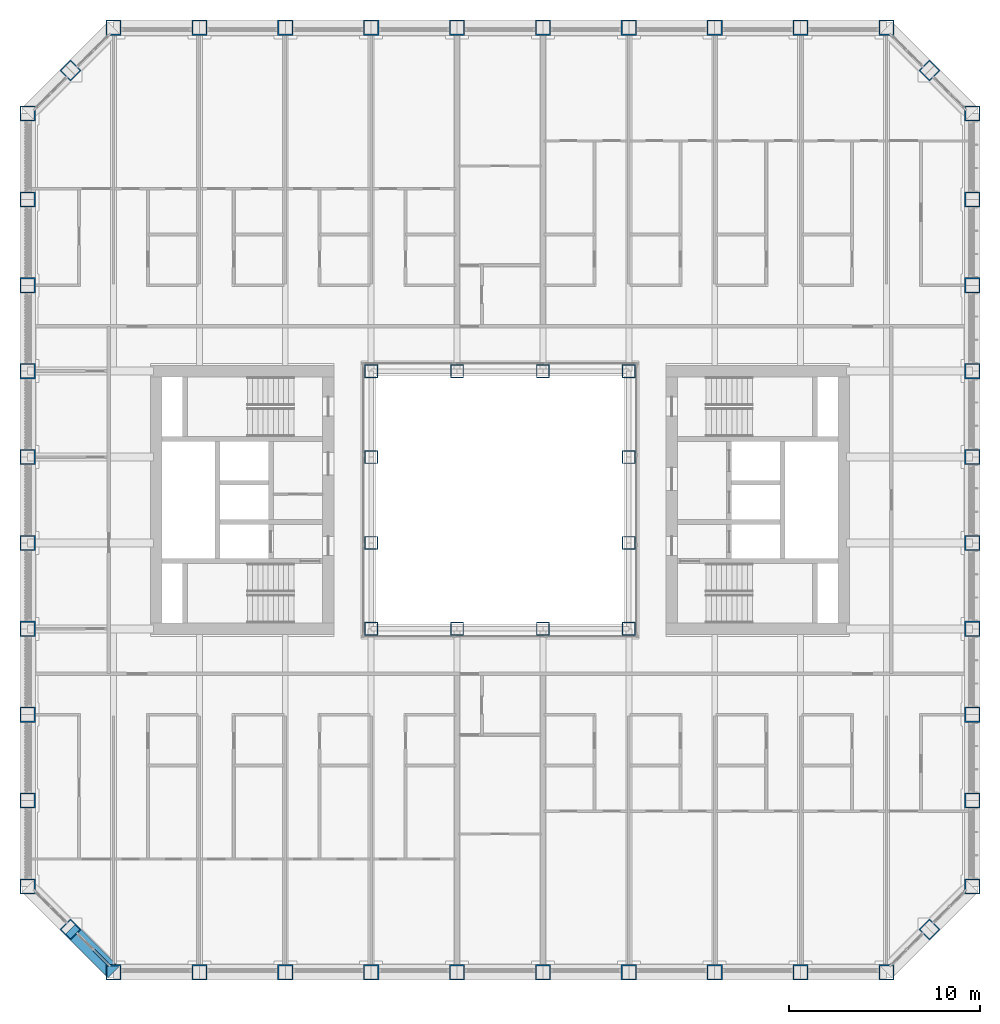
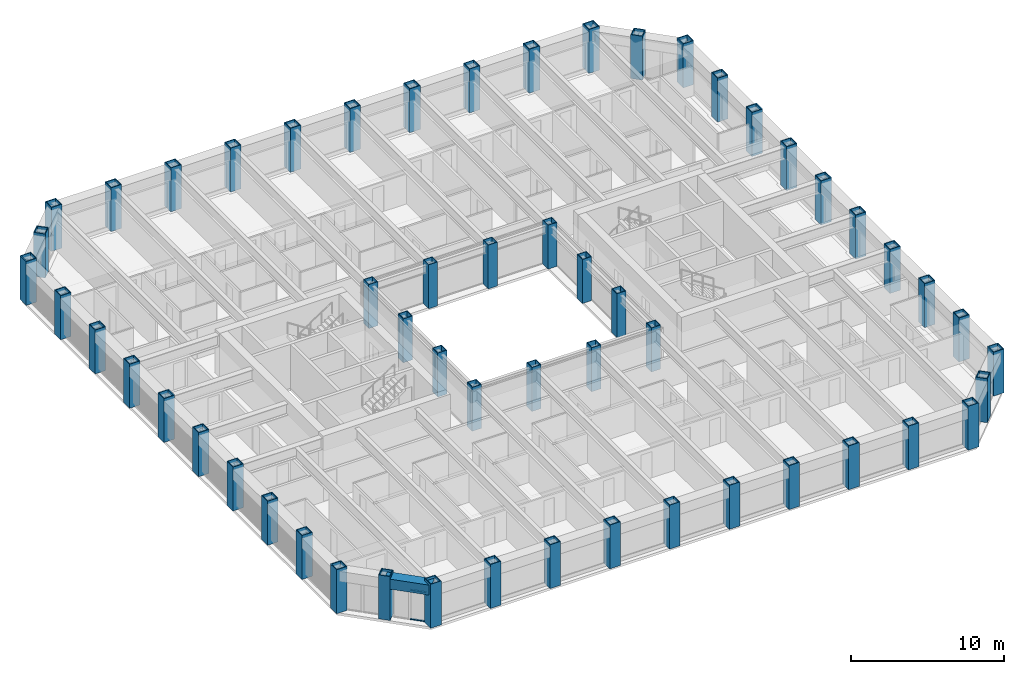
# One storey, part 1 of 21: 56 columns, 2 members, 1 beam, 1 element without a shape of its own.
"""IFC4 building model written with IfcOpenShell, lengths in metres."""

from ifc_helpers import new_model, si_unit, direction, frame, origin, origin_2d, place, context, subcontext, project, spatial, rectangle, hollow_rectangle, extrude, material, material_profile, profile_set, type_object, element, aggregate, save


model = new_model("IFC4")

# Units and contexts
model_context = context("Model", 3, precision=1e-05, world=origin(), true_north=direction((0.0, 1.0)))
body_context = subcontext(model_context, "Body", "Model", "MODEL_VIEW")
ifc_project = project(units=[si_unit("LENGTHUNIT", "METRE"), si_unit("AREAUNIT", "SQUARE_METRE"), si_unit("VOLUMEUNIT", "CUBIC_METRE"), si_unit("PLANEANGLEUNIT", "RADIAN"), si_unit("MASSUNIT", "GRAM", prefix="KILO")], contexts=[model_context])

# Site, building, storey
site_placement = place(None, origin())
site = spatial("IfcSite", under=ifc_project, at=site_placement, CompositionType="ELEMENT")
building_placement = place(site_placement, origin())
building = spatial("IfcBuilding", under=site, at=building_placement, Name="Msasa Ring Tower", CompositionType="ELEMENT")
storey_placement = place(building_placement, frame((0.0, 0.0, 100.0)))
storey = spatial("IfcBuildingStorey", under=building, at=storey_placement, Name="L26", CompositionType="ELEMENT", Elevation=100.0)

# Columns
ifc_material_1 = material(Name="Steel S355", Category="steel")
ifc_material_profile_1 = material_profile(ifc_material_1, hollow_rectangle(XDim=0.699951171875, YDim=0.699951171875, WallThickness=0.050048828125, at=origin_2d()), Name="BOX 700x700x50")
ifc_profile_set_1 = profile_set([ifc_material_profile_1], Name="Steel S355")
column_type_1 = type_object("IfcColumnType", Name="IC3 BOX 700x700x50", PredefinedType="COLUMN", material=ifc_profile_set_1)
for number, where, z_axis, x_axis, name in (
    (1, (-6.75, -6.75, 0.0), (0.0, 0.0, 1.0), (1.0, 0.0, 0.0), "Inner ring column IR-6.75-6.75 L26"),
    (2, (-6.75, -2.25, 0.0), (0.0, 0.0, 1.0), (1.0, 0.0, 0.0), "Inner ring column IR-6.75-2.25 L26"),
    (3, (-6.75, 2.25, 0.0), (0.0, 0.0, 1.0), (1.0, 0.0, 0.0), "Inner ring column IR-6.75+2.25 L26"),
    (4, (-6.75, 6.75, 0.0), (0.0, 0.0, 1.0), (1.0, 0.0, 0.0), "Inner ring column IR-6.75+6.75 L26"),
    (5, (-2.25, -6.75, 0.0), (0.0, 0.0, 1.0), (1.0, 0.0, 0.0), "Inner ring column IR-2.25-6.75 L26"),
    (6, (-2.25, 6.75, 0.0), (0.0, 0.0, 1.0), (1.0, 0.0, 0.0), "Inner ring column IR-2.25+6.75 L26"),
    (7, (2.25, -6.75, 0.0), (0.0, 0.0, 1.0), (1.0, 0.0, 0.0), "Inner ring column IR+2.25-6.75 L26"),
    (8, (2.25, 6.75, 0.0), (0.0, 0.0, 1.0), (1.0, 0.0, 0.0), "Inner ring column IR+2.25+6.75 L26"),
    (9, (6.75, -6.75, 0.0), (0.0, 0.0, 1.0), (1.0, 0.0, 0.0), "Inner ring column IR+6.75-6.75 L26"),
    (10, (6.75, -2.25, 0.0), (0.0, 0.0, 1.0), (1.0, 0.0, 0.0), "Inner ring column IR+6.75-2.25 L26"),
    (11, (6.75, 2.25, 0.0), (0.0, 0.0, 1.0), (1.0, 0.0, 0.0), "Inner ring column IR+6.75+2.25 L26"),
    (12, (6.75, 6.75, 0.0), (0.0, 0.0, 1.0), (1.0, 0.0, 0.0), "Inner ring column IR+6.75+6.75 L26"),
):
    element("IfcColumn", number, at=place(storey_placement, frame(where, z_axis=z_axis, x_axis=x_axis)), inside=storey, type_object=column_type_1, Name=name, PredefinedType="COLUMN", context=body_context, shape_type="SweptSolid", body=[
        extrude(hollow_rectangle(XDim=0.699951171875, YDim=0.699951171875, WallThickness=0.050048828125, at=origin_2d()), origin(), (0.0, 0.0, 1.0), 3.5),
    ])
ifc_material_2 = material(Name="Steel S355", Category="steel")
ifc_material_profile_2 = material_profile(ifc_material_2, hollow_rectangle(XDim=0.800048828125, YDim=0.800048828125, WallThickness=0.06005859375, at=origin_2d()), Name="BOX 800x800x60")
ifc_profile_set_2 = profile_set([ifc_material_profile_2], Name="Steel S355")
column_type_2 = type_object("IfcColumnType", Name="TC3 BOX 800x800x60", PredefinedType="COLUMN", material=ifc_profile_set_2)
for number, where, z_axis, x_axis, name in (
    (13, (-20.25, -24.75, 0.0), (0.0, 0.0, 1.0), (0.0, 1.0, 0.0), "Tube column S-20.25 L26"),
    (14, (-20.25, 24.75, 0.0), (0.0, 0.0, 1.0), (0.0, 1.0, 0.0), "Tube column N-20.25 L26"),
    (15, (24.75, -20.25, 0.0), (0.0, 0.0, 1.0), (1.0, 0.0, 0.0), "Tube column E-20.25 L26"),
    (16, (-24.75, -20.25, 0.0), (0.0, 0.0, 1.0), (1.0, 0.0, 0.0), "Tube column W-20.25 L26"),
    (17, (-15.75, -24.75, 0.0), (0.0, 0.0, 1.0), (0.0, 1.0, 0.0), "Tube column S-15.75 L26"),
    (18, (-15.75, 24.75, 0.0), (0.0, 0.0, 1.0), (0.0, 1.0, 0.0), "Tube column N-15.75 L26"),
    (19, (24.75, -15.75, 0.0), (0.0, 0.0, 1.0), (1.0, 0.0, 0.0), "Tube column E-15.75 L26"),
    (20, (-24.75, -15.75, 0.0), (0.0, 0.0, 1.0), (1.0, 0.0, 0.0), "Tube column W-15.75 L26"),
    (21, (-11.25, -24.75, 0.0), (0.0, 0.0, 1.0), (0.0, 1.0, 0.0), "Tube column S-11.25 L26"),
    (22, (-11.25, 24.75, 0.0), (0.0, 0.0, 1.0), (0.0, 1.0, 0.0), "Tube column N-11.25 L26"),
    (23, (24.75, -11.25, 0.0), (0.0, 0.0, 1.0), (1.0, 0.0, 0.0), "Tube column E-11.25 L26"),
    (24, (-24.75, -11.25, 0.0), (0.0, 0.0, 1.0), (1.0, 0.0, 0.0), "Tube column W-11.25 L26"),
    (25, (-6.75, -24.75, 0.0), (0.0, 0.0, 1.0), (0.0, 1.0, 0.0), "Tube column S-6.75 L26"),
    (26, (-6.75, 24.75, 0.0), (0.0, 0.0, 1.0), (0.0, 1.0, 0.0), "Tube column N-6.75 L26"),
    (27, (24.75, -6.75, 0.0), (0.0, 0.0, 1.0), (1.0, 0.0, 0.0), "Tube column E-6.75 L26"),
    (28, (-24.75, -6.75, 0.0), (0.0, 0.0, 1.0), (1.0, 0.0, 0.0), "Tube column W-6.75 L26"),
    (29, (-2.25, -24.75, 0.0), (0.0, 0.0, 1.0), (0.0, 1.0, 0.0), "Tube column S-2.25 L26"),
    (30, (-2.25, 24.75, 0.0), (0.0, 0.0, 1.0), (0.0, 1.0, 0.0), "Tube column N-2.25 L26"),
    (31, (24.75, -2.25, 0.0), (0.0, 0.0, 1.0), (1.0, 0.0, 0.0), "Tube column E-2.25 L26"),
    (32, (-24.75, -2.25, 0.0), (0.0, 0.0, 1.0), (1.0, 0.0, 0.0), "Tube column W-2.25 L26"),
    (33, (2.25, -24.75, 0.0), (0.0, 0.0, 1.0), (0.0, 1.0, 0.0), "Tube column S+2.25 L26"),
    (34, (2.25, 24.75, 0.0), (0.0, 0.0, 1.0), (0.0, 1.0, 0.0), "Tube column N+2.25 L26"),
    (35, (24.75, 2.25, 0.0), (0.0, 0.0, 1.0), (1.0, 0.0, 0.0), "Tube column E+2.25 L26"),
    (36, (-24.75, 2.25, 0.0), (0.0, 0.0, 1.0), (1.0, 0.0, 0.0), "Tube column W+2.25 L26"),
    (37, (6.75, -24.75, 0.0), (0.0, 0.0, 1.0), (0.0, 1.0, 0.0), "Tube column S+6.75 L26"),
    (38, (6.75, 24.75, 0.0), (0.0, 0.0, 1.0), (0.0, 1.0, 0.0), "Tube column N+6.75 L26"),
    (39, (24.75, 6.75, 0.0), (0.0, 0.0, 1.0), (1.0, 0.0, 0.0), "Tube column E+6.75 L26"),
    (40, (-24.75, 6.75, 0.0), (0.0, 0.0, 1.0), (1.0, 0.0, 0.0), "Tube column W+6.75 L26"),
    (41, (11.25, -24.75, 0.0), (0.0, 0.0, 1.0), (0.0, 1.0, 0.0), "Tube column S+11.25 L26"),
    (42, (11.25, 24.75, 0.0), (0.0, 0.0, 1.0), (0.0, 1.0, 0.0), "Tube column N+11.25 L26"),
    (43, (24.75, 11.25, 0.0), (0.0, 0.0, 1.0), (1.0, 0.0, 0.0), "Tube column E+11.25 L26"),
    (44, (-24.75, 11.25, 0.0), (0.0, 0.0, 1.0), (1.0, 0.0, 0.0), "Tube column W+11.25 L26"),
    (45, (15.75, -24.75, 0.0), (0.0, 0.0, 1.0), (0.0, 1.0, 0.0), "Tube column S+15.75 L26"),
    (46, (15.75, 24.75, 0.0), (0.0, 0.0, 1.0), (0.0, 1.0, 0.0), "Tube column N+15.75 L26"),
    (47, (24.75, 15.75, 0.0), (0.0, 0.0, 1.0), (1.0, 0.0, 0.0), "Tube column E+15.75 L26"),
    (48, (-24.75, 15.75, 0.0), (0.0, 0.0, 1.0), (1.0, 0.0, 0.0), "Tube column W+15.75 L26"),
    (49, (20.25, -24.75, 0.0), (0.0, 0.0, 1.0), (0.0, 1.0, 0.0), "Tube column S+20.25 L26"),
    (50, (20.25, 24.75, 0.0), (0.0, 0.0, 1.0), (0.0, 1.0, 0.0), "Tube column N+20.25 L26"),
    (51, (24.75, 20.25, 0.0), (0.0, 0.0, 1.0), (1.0, 0.0, 0.0), "Tube column E+20.25 L26"),
    (52, (-24.75, 20.25, 0.0), (0.0, 0.0, 1.0), (1.0, 0.0, 0.0), "Tube column W+20.25 L26"),
    (53, (22.5, -22.5, 0.0), (0.0, 0.0, 1.0), (0.707106781187, -0.707106781187, 0.0), "Tube column SE L26"),
    (54, (22.5, 22.5, 0.0), (0.0, 0.0, 1.0), (0.707106781187, 0.707106781187, 0.0), "Tube column NE L26"),
    (55, (-22.5, 22.5, 0.0), (0.0, 0.0, 1.0), (0.707106781187, -0.707106781187, 0.0), "Tube column NW L26"),
    (56, (-22.5, -22.5, 0.0), (0.0, 0.0, 1.0), (0.707106781187, 0.707106781187, 0.0), "Tube column SW L26"),
):
    element("IfcColumn", number, at=place(storey_placement, frame(where, z_axis=z_axis, x_axis=x_axis)), inside=storey, type_object=column_type_2, Name=name, PredefinedType="COLUMN", context=body_context, shape_type="SweptSolid", body=[
        extrude(hollow_rectangle(XDim=0.800048828125, YDim=0.800048828125, WallThickness=0.06005859375, at=origin_2d()), origin(), (0.0, 0.0, 1.0), 3.5),
    ])

# Curtain wall, members
ifc_material_3 = material(Name="Aluminium curtain wall with clear glass", Category="aluminium")
curtain_wall_type = type_object("IfcCurtainWallType", Name="CW-C CHAMFER CORNER CURTAIN WALL", PredefinedType="NOTDEFINED", material=ifc_material_3)
curtain_wall_placement = place(storey_placement, origin())
curtain_wall = element("IfcCurtainWall", 57, at=curtain_wall_placement, inside=storey, type_object=curtain_wall_type, Name="Chamfer corner curtain wall SW L26", PredefinedType="NOTDEFINED")
ifc_material_4 = material(Name="Aluminium transom", Category="aluminium")
ifc_material_profile_3 = material_profile(ifc_material_4, rectangle(XDim=0.139892578125, YDim=0.06494140625, at=origin_2d()), Name="AL 65x140")
ifc_profile_set_3 = profile_set([ifc_material_profile_3], Name="Aluminium transom")
member_type = type_object("IfcMemberType", Name="CW-C TRANSOM 65x140", PredefinedType="USERDEFINED", material=ifc_profile_set_3)
member_1_placement = place(storey_placement, frame((-21.28125, -23.577392578125, 0.032470703125), z_axis=(0.707106781187, -0.707106781187, 0.0), x_axis=(0.707106781187, 0.707106781187, 0.0)))
member_1 = element("IfcMember", 58, at=member_1_placement, type_object=member_type, Name="CW-C transom 2.1", ObjectType="TRANSOM", PredefinedType="USERDEFINED", context=body_context, shape_type="SweptSolid", body=[
    extrude(rectangle(XDim=0.139892578125, YDim=0.06494140625, at=origin_2d()), origin(), (0.0, 0.0, 1.0), 1.08837890625),
])
member_2_placement = place(storey_placement, frame((-21.28125, -23.577392578125, 2.346435546875), z_axis=(0.707106781187, -0.707106781187, 0.0), x_axis=(0.707106781187, 0.707106781187, 0.0)))
member_2 = element("IfcMember", 59, at=member_2_placement, type_object=member_type, Name="CW-C transom 2.2", ObjectType="TRANSOM", PredefinedType="USERDEFINED", context=body_context, shape_type="SweptSolid", body=[
    extrude(rectangle(XDim=0.139892578125, YDim=0.06494140625, at=origin_2d()), origin(), (0.0, 0.0, 1.0), 1.08837890625),
])
aggregate(curtain_wall, [member_1, member_2])

# Beam
ifc_material_5 = material(Name="Steel S355", Category="steel")
ifc_material_profile_4 = material_profile(ifc_material_5, hollow_rectangle(XDim=0.800048828125, YDim=0.800048828125, WallThickness=0.06005859375, at=origin_2d()), Name="BOX 800x800x60")
ifc_profile_set_4 = profile_set([ifc_material_profile_4], Name="Steel S355")
beam_type = type_object("IfcBeamType", Name="SB3 BOX 800x800x60", PredefinedType="SPANDREL", material=ifc_profile_set_4)
beam_placement = place(storey_placement, frame((-22.5, -22.5, 2.89990234375), z_axis=(0.707106781187, -0.707106781187, 0.0), x_axis=(0.707106781187, 0.707106781187, 0.0)))
element("IfcBeam", 60, at=beam_placement, inside=storey, type_object=beam_type, Name="Spandrel SW to S-20.25 under L27", PredefinedType="SPANDREL", context=body_context, shape_type="SweptSolid", body=[
    extrude(hollow_rectangle(XDim=0.800048828125, YDim=0.800048828125, WallThickness=0.06005859375, at=origin_2d()), origin(), (0.0, 0.0, 1.0), 3.181884765625),
])

save(model, "model.ifc")
